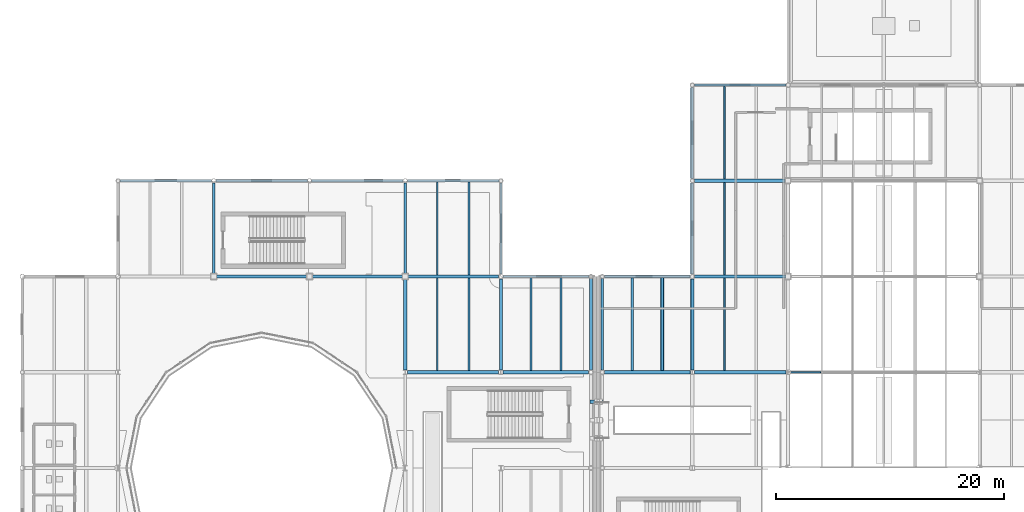
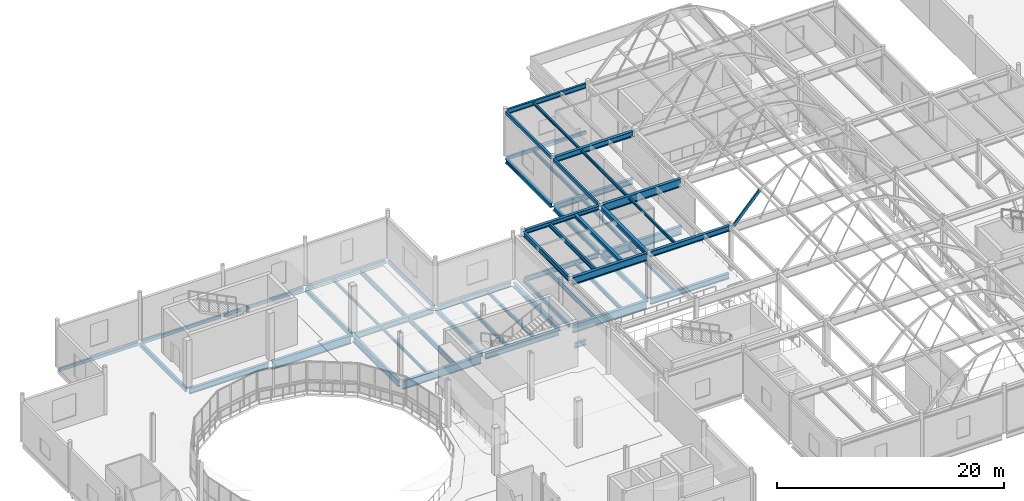
# One storey, part 30 of 103: 53 beams, 1 member.
"""IFC4 building model written with IfcOpenShell, lengths in metres."""

from ifc_helpers import new_model, si_unit, direction, frame, origin, origin_2d, place, context, subcontext, project, spatial, hollow_rectangle, i_section, extrude, material, material_profile, profile_set, type_object, element, save


model = new_model("IFC4")

# Units and contexts
model_context = context("Model", 3, precision=1e-05, world=origin(), true_north=direction((0.0, 1.0)))
body_context = subcontext(model_context, "Body", "Model", "MODEL_VIEW")
ifc_project = project(units=[si_unit("LENGTHUNIT", "METRE"), si_unit("AREAUNIT", "SQUARE_METRE"), si_unit("VOLUMEUNIT", "CUBIC_METRE"), si_unit("PLANEANGLEUNIT", "RADIAN"), si_unit("MASSUNIT", "GRAM", prefix="KILO"), si_unit("THERMODYNAMICTEMPERATUREUNIT", "KELVIN")], contexts=[model_context])

# Site, building, storey
site_placement = place(None, origin())
site = spatial("IfcSite", under=ifc_project, at=site_placement, CompositionType="ELEMENT")
building_placement = place(site_placement, origin())
building = spatial("IfcBuilding", under=site, at=building_placement, Name="Lustrewick Department Store", CompositionType="ELEMENT")
storey_placement = place(building_placement, frame((0.0, 0.0, 16.5)))
storey = spatial("IfcBuildingStorey", under=building, at=storey_placement, Name="L04", CompositionType="ELEMENT", Elevation=16.5)

# Beams
ifc_material_1 = material(Name="Structural steel Q355B", Category="steel")
ifc_material_profile_1 = material_profile(ifc_material_1, i_section(OverallWidth=0.198974609375, OverallDepth=0.49609375, WebThickness=0.009033203125, FlangeThickness=0.013916015625, FilletRadius=0.01611328125, at=origin_2d()), Name="HN 496x199x9x14")
ifc_profile_set_1 = profile_set([ifc_material_profile_1], Name="Structural steel Q355B")
beam_type_1 = type_object("IfcBeamType", Name="B02", PredefinedType="JOIST", material=ifc_profile_set_1)
beam_1_placement = place(storey_placement, frame((47.60009765625, 75.74951171875, -0.5029296875), z_axis=(0.0, 1.0, 0.0), x_axis=(-1.0, 0.0, 0.0)))
element("IfcBeam", 1, at=beam_1_placement, inside=storey, type_object=beam_type_1, Name="L04 V1 Secondary Joist B02", PredefinedType="JOIST", context=body_context, shape_type="SweptSolid", body=[
    extrude(i_section(OverallWidth=0.198974609375, OverallDepth=0.49609375, WebThickness=0.009033203125, FlangeThickness=0.013916015625, FilletRadius=0.01611328125, at=origin_2d()), origin(), (0.0, 0.0, 1.0), 8.1005859375),
])
beam_2_placement = place(storey_placement, frame((47.60009765625, 84.14990234375, -0.5029296875), z_axis=(0.0, 1.0, 0.0), x_axis=(-1.0, 0.0, 0.0)))
element("IfcBeam", 2, at=beam_2_placement, inside=storey, type_object=beam_type_1, Name="L04 V1 Secondary Joist B02", PredefinedType="JOIST", context=body_context, shape_type="SweptSolid", body=[
    extrude(i_section(OverallWidth=0.198974609375, OverallDepth=0.49609375, WebThickness=0.009033203125, FlangeThickness=0.013916015625, FilletRadius=0.01611328125, at=origin_2d()), origin(), (0.0, 0.0, 1.0), 8.150146484375),
])
beam_3_placement = place(storey_placement, frame((61.933349609375, 75.74951171875, -0.5029296875), z_axis=(0.0, 1.0, 0.0), x_axis=(-1.0, 0.0, 0.0)))
element("IfcBeam", 3, at=beam_3_placement, inside=storey, type_object=beam_type_1, Name="L04 V2 Secondary Joist B02", PredefinedType="JOIST", context=body_context, shape_type="SweptSolid", body=[
    extrude(i_section(OverallWidth=0.198974609375, OverallDepth=0.49609375, WebThickness=0.009033203125, FlangeThickness=0.013916015625, FilletRadius=0.01611328125, at=origin_2d()), origin(), (0.0, 0.0, 1.0), 8.14990234375),
])
ifc_material_profile_2 = material_profile(ifc_material_1, i_section(OverallWidth=0.199951171875, OverallDepth=0.449951171875, WebThickness=0.009033203125, FlangeThickness=0.013916015625, FilletRadius=0.01611328125, at=origin_2d()), Name="HN 450x200x9x14")
ifc_profile_set_2 = profile_set([ifc_material_profile_2], Name="Structural steel Q355B")
beam_type_2 = type_object("IfcBeamType", Name="B03", PredefinedType="JOIST", material=ifc_profile_set_2)
beam_4_placement = place(storey_placement, frame((61.933349609375, 75.7509765625, 4.6201171875), z_axis=(0.0, 1.0, 0.0), x_axis=(-1.0, 0.0, 0.0)))
element("IfcBeam", 4, at=beam_4_placement, inside=storey, type_object=beam_type_2, Name="L04 V2 Secondary Joist B03", PredefinedType="JOIST", context=body_context, shape_type="SweptSolid", body=[
    extrude(i_section(OverallWidth=0.199951171875, OverallDepth=0.449951171875, WebThickness=0.009033203125, FlangeThickness=0.013916015625, FilletRadius=0.01611328125, at=origin_2d()), origin(), (0.0, 0.0, 1.0), 8.09912109375),
])
ifc_material_profile_3 = material_profile(ifc_material_1, i_section(OverallWidth=0.198974609375, OverallDepth=0.39599609375, WebThickness=0.007080078125, FlangeThickness=0.010986328125, FilletRadius=0.013916015625, at=origin_2d()), Name="HN 396x199x7x11")
ifc_profile_set_3 = profile_set([ifc_material_profile_3], Name="Structural steel Q355B")
beam_type_3 = type_object("IfcBeamType", Name="B06", PredefinedType="JOIST", material=ifc_profile_set_3)
beam_5_placement = place(storey_placement, frame((53.033203125, 75.75, -0.452880859375), z_axis=(0.0, 1.0, 0.0), x_axis=(-1.0, 0.0, 0.0)))
element("IfcBeam", 5, at=beam_5_placement, inside=storey, type_object=beam_type_3, Name="L04 V1 Secondary Joist B06", PredefinedType="JOIST", context=body_context, shape_type="SweptSolid", body=[
    extrude(i_section(OverallWidth=0.198974609375, OverallDepth=0.39599609375, WebThickness=0.007080078125, FlangeThickness=0.010986328125, FilletRadius=0.013916015625, at=origin_2d()), origin(), (0.0, 0.0, 1.0), 8.1494140625),
])
beam_6_placement = place(storey_placement, frame((64.566650390625, 75.74951171875, -0.452880859375), z_axis=(0.0, 1.0, 0.0), x_axis=(-1.0, 0.0, 0.0)))
element("IfcBeam", 6, at=beam_6_placement, inside=storey, type_object=beam_type_3, Name="L04 V2 Secondary Joist B06", PredefinedType="JOIST", context=body_context, shape_type="SweptSolid", body=[
    extrude(i_section(OverallWidth=0.198974609375, OverallDepth=0.39599609375, WebThickness=0.007080078125, FlangeThickness=0.010986328125, FilletRadius=0.013916015625, at=origin_2d()), origin(), (0.0, 0.0, 1.0), 8.14990234375),
])
ifc_material_profile_4 = material_profile(ifc_material_1, i_section(OverallWidth=0.300048828125, OverallDepth=0.389892578125, WebThickness=0.010009765625, FlangeThickness=0.01611328125, FilletRadius=0.01806640625, at=origin_2d()), Name="HM 390x300x10x16")
ifc_profile_set_4 = profile_set([ifc_material_profile_4], Name="Structural steel Q355B")
beam_type_4 = type_object("IfcBeamType", Name="B07", PredefinedType="JOIST", material=ifc_profile_set_4)
beam_7_placement = place(storey_placement, frame((64.566650390625, 75.7509765625, 4.64990234375), z_axis=(0.0, 1.0, 0.0), x_axis=(-1.0, 0.0, 0.0)))
element("IfcBeam", 7, at=beam_7_placement, inside=storey, type_object=beam_type_4, Name="L04 V2 Secondary Joist B07", PredefinedType="JOIST", context=body_context, shape_type="SweptSolid", body=[
    extrude(i_section(OverallWidth=0.300048828125, OverallDepth=0.389892578125, WebThickness=0.010009765625, FlangeThickness=0.01611328125, FilletRadius=0.01806640625, at=origin_2d()), origin(), (0.0, 0.0, 1.0), 8.09912109375),
])
ifc_material_profile_5 = material_profile(ifc_material_1, i_section(OverallWidth=0.174072265625, OverallDepth=0.345947265625, WebThickness=0.006103515625, FlangeThickness=0.009033203125, FilletRadius=0.012939453125, at=origin_2d()), Name="HN 346x174x6x9")
ifc_profile_set_5 = profile_set([ifc_material_profile_5], Name="Structural steel Q355B")
beam_type_5 = type_object("IfcBeamType", Name="B10", PredefinedType="JOIST", material=ifc_profile_set_5)
beam_8_placement = place(storey_placement, frame((55.666748046875, 75.75, -0.427978515625), z_axis=(0.0, 1.0, 0.0), x_axis=(-1.0, 0.0, 0.0)))
element("IfcBeam", 8, at=beam_8_placement, inside=storey, type_object=beam_type_5, Name="L04 V1 Secondary Joist B10", PredefinedType="JOIST", context=body_context, shape_type="SweptSolid", body=[
    extrude(i_section(OverallWidth=0.174072265625, OverallDepth=0.345947265625, WebThickness=0.006103515625, FlangeThickness=0.009033203125, FilletRadius=0.012939453125, at=origin_2d()), origin(), (0.0, 0.0, 1.0), 8.1494140625),
])
for number, where, z_axis, x_axis, name in (
    (9, (70.0, 75.75, -0.427978515625), (0.0, 1.0, 0.0), (-1.0, 0.0, 0.0), "L04 V2 Secondary Joist B10"),
    (10, (70.0, 84.14990234375, -0.427978515625), (0.0, 1.0, 0.0), (-1.0, 0.0, 0.0), "L04 V2 Secondary Joist B10"),
):
    element("IfcBeam", number, at=place(storey_placement, frame(where, z_axis=z_axis, x_axis=x_axis)), inside=storey, type_object=beam_type_5, Name=name, PredefinedType="JOIST", context=body_context, shape_type="SweptSolid", body=[
        extrude(i_section(OverallWidth=0.174072265625, OverallDepth=0.345947265625, WebThickness=0.006103515625, FlangeThickness=0.009033203125, FilletRadius=0.012939453125, at=origin_2d()), origin(), (0.0, 0.0, 1.0), 8.10009765625),
    ])
beam_9_placement = place(storey_placement, frame((70.0, 92.550048828125, -0.427978515625), z_axis=(0.0, 1.0, 0.0), x_axis=(-1.0, 0.0, 0.0)))
element("IfcBeam", 11, at=beam_9_placement, inside=storey, type_object=beam_type_5, Name="L04 V2 Secondary Joist B10", PredefinedType="JOIST", context=body_context, shape_type="SweptSolid", body=[
    extrude(i_section(OverallWidth=0.174072265625, OverallDepth=0.345947265625, WebThickness=0.006103515625, FlangeThickness=0.009033203125, FilletRadius=0.012939453125, at=origin_2d()), origin(), (0.0, 0.0, 1.0), 8.14990234375),
])
ifc_material_profile_6 = material_profile(ifc_material_1, i_section(OverallWidth=0.14990234375, OverallDepth=0.300048828125, WebThickness=0.006591796875, FlangeThickness=0.009033203125, FilletRadius=0.011962890625, at=origin_2d()), Name="HN 300x150x6.5x9")
ifc_profile_set_6 = profile_set([ifc_material_profile_6], Name="Structural steel Q355B")
beam_type_6 = type_object("IfcBeamType", Name="B11", PredefinedType="JOIST", material=ifc_profile_set_6)
beam_10_placement = place(storey_placement, frame((44.800048828125, 75.74951171875, -0.405029296875), z_axis=(0.0, 1.0, 0.0), x_axis=(-1.0, 0.0, 0.0)))
element("IfcBeam", 12, at=beam_10_placement, inside=storey, type_object=beam_type_6, Name="L04 V1 Secondary Joist B11", PredefinedType="JOIST", context=body_context, shape_type="SweptSolid", body=[
    extrude(i_section(OverallWidth=0.14990234375, OverallDepth=0.300048828125, WebThickness=0.006591796875, FlangeThickness=0.009033203125, FilletRadius=0.011962890625, at=origin_2d()), origin(), (0.0, 0.0, 1.0), 8.1005859375),
])
beam_11_placement = place(storey_placement, frame((44.800048828125, 84.14990234375, -0.405029296875), z_axis=(0.0, 1.0, 0.0), x_axis=(-1.0, 0.0, 0.0)))
element("IfcBeam", 13, at=beam_11_placement, inside=storey, type_object=beam_type_6, Name="L04 V1 Secondary Joist B11", PredefinedType="JOIST", context=body_context, shape_type="SweptSolid", body=[
    extrude(i_section(OverallWidth=0.14990234375, OverallDepth=0.300048828125, WebThickness=0.006591796875, FlangeThickness=0.009033203125, FilletRadius=0.011962890625, at=origin_2d()), origin(), (0.0, 0.0, 1.0), 8.150146484375),
])
for number, where, z_axis, x_axis, name in (
    (14, (70.0, 75.75, 4.695068359375), (0.0, 1.0, 0.0), (-1.0, 0.0, 0.0), "L04 V2 Secondary Joist B11"),
    (15, (70.0, 84.1494140625, 4.695068359375), (0.0, 1.0, 0.0), (-1.0, 0.0, 0.0), "L04 V2 Secondary Joist B11"),
):
    element("IfcBeam", number, at=place(storey_placement, frame(where, z_axis=z_axis, x_axis=x_axis)), inside=storey, type_object=beam_type_6, Name=name, PredefinedType="JOIST", context=body_context, shape_type="SweptSolid", body=[
        extrude(i_section(OverallWidth=0.14990234375, OverallDepth=0.300048828125, WebThickness=0.006591796875, FlangeThickness=0.009033203125, FilletRadius=0.011962890625, at=origin_2d()), origin(), (0.0, 0.0, 1.0), 8.1005859375),
    ])
beam_12_placement = place(storey_placement, frame((70.0, 92.550048828125, 4.695068359375), z_axis=(0.0, 1.0, 0.0), x_axis=(-1.0, 0.0, 0.0)))
element("IfcBeam", 16, at=beam_12_placement, inside=storey, type_object=beam_type_6, Name="L04 V2 Secondary Joist B11", PredefinedType="JOIST", context=body_context, shape_type="SweptSolid", body=[
    extrude(i_section(OverallWidth=0.14990234375, OverallDepth=0.300048828125, WebThickness=0.006591796875, FlangeThickness=0.009033203125, FilletRadius=0.011962890625, at=origin_2d()), origin(), (0.0, 0.0, 1.0), 8.1494140625),
])

# Member
ifc_material_2 = material(Name="Structural steel Q355C", Category="steel")
ifc_material_profile_7 = material_profile(ifc_material_2, hollow_rectangle(XDim=0.14990234375, YDim=0.300048828125, WallThickness=0.010009765625, at=origin_2d()), Name="RHS 300x150x10")
ifc_profile_set_7 = profile_set([ifc_material_profile_7], Name="Structural steel Q355C")
member_type = type_object("IfcMemberType", Name="DR01", PredefinedType="USERDEFINED", material=ifc_profile_set_7)
member_placement = place(storey_placement, frame((75.75, 75.60009765625, 4.4951171875), z_axis=(0.678233515991, 0.0, 0.734846445039), x_axis=(0.0, 1.0, 0.0)))
element("IfcMember", 17, at=member_placement, inside=storey, type_object=member_type, Name="V2 Verriere Arch Segment 5.1", ObjectType="ARCH_SEGMENT", PredefinedType="USERDEFINED", context=body_context, shape_type="SweptSolid", body=[
    extrude(hollow_rectangle(XDim=0.14990234375, YDim=0.300048828125, WallThickness=0.010009765625, at=origin_2d()), origin(), (0.0, 0.0, 1.0), 4.1357421875),
])

# Beams
ifc_material_profile_8 = material_profile(ifc_material_2, i_section(OverallWidth=0.300048828125, OverallDepth=0.89990234375, WebThickness=0.01611328125, FlangeThickness=0.028076171875, FilletRadius=0.02392578125, at=origin_2d()), Name="HN 900x300x16x28")
ifc_profile_set_8 = profile_set([ifc_material_profile_8], Name="Structural steel Q355C")
beam_type_7 = type_object("IfcBeamType", Name="G02", PredefinedType="BEAM", material=ifc_profile_set_8)
beam_13_placement = place(storey_placement, frame((67.403076171875, 84.0, -0.705078125), z_axis=(1.0, 0.0, 0.0), x_axis=(0.0, 1.0, 0.0)))
element("IfcBeam", 18, at=beam_13_placement, inside=storey, type_object=beam_type_7, Name="L04 V2 Girder G02", PredefinedType="BEAM", context=body_context, shape_type="SweptSolid", body=[
    extrude(i_section(OverallWidth=0.300048828125, OverallDepth=0.89990234375, WebThickness=0.01611328125, FlangeThickness=0.028076171875, FilletRadius=0.02392578125, at=origin_2d()), origin(), (0.0, 0.0, 1.0), 8.02197265625),
])
ifc_material_profile_9 = material_profile(ifc_material_2, i_section(OverallWidth=0.299072265625, OverallDepth=0.889892578125, WebThickness=0.014892578125, FlangeThickness=0.02294921875, FilletRadius=0.02392578125, at=origin_2d()), Name="HN 890x299x15x23")
ifc_profile_set_9 = profile_set([ifc_material_profile_9], Name="Structural steel Q355C")
beam_type_8 = type_object("IfcBeamType", Name="G03", PredefinedType="BEAM", material=ifc_profile_set_9)
beam_14_placement = place(storey_placement, frame((42.200927734375, 75.60009765625, -0.699951171875), z_axis=(1.0, 0.0, 0.0), x_axis=(0.0, 1.0, 0.0)))
element("IfcBeam", 19, at=beam_14_placement, inside=storey, type_object=beam_type_8, Name="L04 V1 Girder G03", PredefinedType="BEAM", context=body_context, shape_type="SweptSolid", body=[
    extrude(i_section(OverallWidth=0.299072265625, OverallDepth=0.889892578125, WebThickness=0.014892578125, FlangeThickness=0.02294921875, FilletRadius=0.02392578125, at=origin_2d()), origin(), (0.0, 0.0, 1.0), 7.998046875),
])
beam_15_placement = place(storey_placement, frame((33.77490234375, 84.0, -0.699951171875), z_axis=(1.0, 0.0, 0.0), x_axis=(0.0, 1.0, 0.0)))
element("IfcBeam", 20, at=beam_15_placement, inside=storey, type_object=beam_type_8, Name="L04 V1 Girder G03", PredefinedType="BEAM", context=body_context, shape_type="SweptSolid", body=[
    extrude(i_section(OverallWidth=0.299072265625, OverallDepth=0.889892578125, WebThickness=0.014892578125, FlangeThickness=0.02294921875, FilletRadius=0.02392578125, at=origin_2d()), origin(), (0.0, 0.0, 1.0), 8.050048828125),
])
beam_16_placement = place(storey_placement, frame((59.5029296875, 75.60009765625, -0.699951171875), z_axis=(1.0, 0.0, 0.0), x_axis=(0.0, 1.0, 0.0)))
element("IfcBeam", 21, at=beam_16_placement, inside=storey, type_object=beam_type_8, Name="L04 V2 Girder G03", PredefinedType="BEAM", context=body_context, shape_type="SweptSolid", body=[
    extrude(i_section(OverallWidth=0.299072265625, OverallDepth=0.889892578125, WebThickness=0.014892578125, FlangeThickness=0.02294921875, FilletRadius=0.02392578125, at=origin_2d()), origin(), (0.0, 0.0, 1.0), 7.49609375),
])
beam_17_placement = place(storey_placement, frame((67.403076171875, 84.0, 4.39990234375), z_axis=(1.0, 0.0, 0.0), x_axis=(0.0, 1.0, 0.0)))
element("IfcBeam", 22, at=beam_17_placement, inside=storey, type_object=beam_type_8, Name="L04 V2 Girder G03", PredefinedType="BEAM", context=body_context, shape_type="SweptSolid", body=[
    extrude(i_section(OverallWidth=0.299072265625, OverallDepth=0.889892578125, WebThickness=0.014892578125, FlangeThickness=0.02294921875, FilletRadius=0.02392578125, at=origin_2d()), origin(), (0.0, 0.0, 1.0), 7.921875),
])
ifc_material_profile_10 = material_profile(ifc_material_2, i_section(OverallWidth=0.302001953125, OverallDepth=0.80810546875, WebThickness=0.01611328125, FlangeThickness=0.030029296875, FilletRadius=0.02197265625, at=origin_2d()), Name="HN 808x302x16x30")
ifc_profile_set_10 = profile_set([ifc_material_profile_10], Name="Structural steel Q355C")
beam_type_9 = type_object("IfcBeamType", Name="G04", PredefinedType="BEAM", material=ifc_profile_set_10)
beam_18_placement = place(storey_placement, frame((59.5029296875, 75.60009765625, 4.44091796875), z_axis=(1.0, 0.0, 0.0), x_axis=(0.0, 1.0, 0.0)))
element("IfcBeam", 23, at=beam_18_placement, inside=storey, type_object=beam_type_9, Name="L04 V2 Girder G04", PredefinedType="BEAM", context=body_context, shape_type="SweptSolid", body=[
    extrude(i_section(OverallWidth=0.302001953125, OverallDepth=0.80810546875, WebThickness=0.01611328125, FlangeThickness=0.030029296875, FilletRadius=0.02197265625, at=origin_2d()), origin(), (0.0, 0.0, 1.0), 7.52197265625),
])
ifc_material_profile_11 = material_profile(ifc_material_1, i_section(OverallWidth=0.300048828125, OverallDepth=0.699951171875, WebThickness=0.012939453125, FlangeThickness=0.02392578125, FilletRadius=0.02001953125, at=origin_2d()), Name="HN 700x300x13x24")
ifc_profile_set_11 = profile_set([ifc_material_profile_11], Name="Structural steel Q355B")
beam_type_10 = type_object("IfcBeamType", Name="G08", PredefinedType="BEAM", material=ifc_profile_set_11)
beam_19_placement = place(storey_placement, frame((42.0, 75.7939453125, -0.60498046875), z_axis=(0.0, 1.0, 0.0), x_axis=(-1.0, 0.0, 0.0)))
element("IfcBeam", 24, at=beam_19_placement, inside=storey, type_object=beam_type_10, Name="L04 V1 Girder G08", PredefinedType="BEAM", context=body_context, shape_type="SweptSolid", body=[
    extrude(i_section(OverallWidth=0.300048828125, OverallDepth=0.699951171875, WebThickness=0.012939453125, FlangeThickness=0.02392578125, FilletRadius=0.02001953125, at=origin_2d()), origin(), (0.0, 0.0, 1.0), 8.031005859375),
])
ifc_material_profile_12 = material_profile(ifc_material_1, i_section(OverallWidth=0.300048828125, OverallDepth=0.587890625, WebThickness=0.011962890625, FlangeThickness=0.02001953125, FilletRadius=0.02392578125, at=origin_2d()), Name="HM 588x300x12x20")
ifc_profile_set_12 = profile_set([ifc_material_profile_12], Name="Structural steel Q355B")
beam_type_11 = type_object("IfcBeamType", Name="G11", PredefinedType="BEAM", material=ifc_profile_set_12)
beam_20_placement = place(storey_placement, frame((50.60107421875, 75.60009765625, -0.549072265625), z_axis=(1.0, 0.0, 0.0), x_axis=(0.0, 1.0, 0.0)))
element("IfcBeam", 25, at=beam_20_placement, inside=storey, type_object=beam_type_11, Name="L04 V1 Girder G11", PredefinedType="BEAM", context=body_context, shape_type="SweptSolid", body=[
    extrude(i_section(OverallWidth=0.300048828125, OverallDepth=0.587890625, WebThickness=0.011962890625, FlangeThickness=0.02001953125, FilletRadius=0.02392578125, at=origin_2d()), origin(), (0.0, 0.0, 1.0), 7.495849609375),
])
beam_21_placement = place(storey_placement, frame((25.375, 84.0, -0.549072265625), z_axis=(1.0, 0.0, 0.0), x_axis=(0.0, 1.0, 0.0)))
element("IfcBeam", 26, at=beam_21_placement, inside=storey, type_object=beam_type_11, Name="L04 V1 Girder G11", PredefinedType="BEAM", context=body_context, shape_type="SweptSolid", body=[
    extrude(i_section(OverallWidth=0.300048828125, OverallDepth=0.587890625, WebThickness=0.011962890625, FlangeThickness=0.02001953125, FilletRadius=0.02392578125, at=origin_2d()), origin(), (0.0, 0.0, 1.0), 8.050048828125),
])
beam_22_placement = place(storey_placement, frame((42.175048828125, 84.0, -0.549072265625), z_axis=(1.0, 0.0, 0.0), x_axis=(0.0, 1.0, 0.0)))
element("IfcBeam", 27, at=beam_22_placement, inside=storey, type_object=beam_type_11, Name="L04 V1 Girder G11", PredefinedType="BEAM", context=body_context, shape_type="SweptSolid", body=[
    extrude(i_section(OverallWidth=0.300048828125, OverallDepth=0.587890625, WebThickness=0.011962890625, FlangeThickness=0.02001953125, FilletRadius=0.02392578125, at=origin_2d()), origin(), (0.0, 0.0, 1.0), 8.02197265625),
])
beam_23_placement = place(storey_placement, frame((67.40087890625, 75.60009765625, -0.549072265625), z_axis=(1.0, 0.0, 0.0), x_axis=(0.0, 1.0, 0.0)))
element("IfcBeam", 28, at=beam_23_placement, inside=storey, type_object=beam_type_11, Name="L04 V2 Girder G11", PredefinedType="BEAM", context=body_context, shape_type="SweptSolid", body=[
    extrude(i_section(OverallWidth=0.300048828125, OverallDepth=0.587890625, WebThickness=0.011962890625, FlangeThickness=0.02001953125, FilletRadius=0.02392578125, at=origin_2d()), origin(), (0.0, 0.0, 1.0), 7.998046875),
])
beam_24_placement = place(storey_placement, frame((67.388427734375, 92.39990234375, -0.549072265625), z_axis=(1.0, 0.0, 0.0), x_axis=(0.0, 1.0, 0.0)))
element("IfcBeam", 29, at=beam_24_placement, inside=storey, type_object=beam_type_11, Name="L04 V2 Girder G11", PredefinedType="BEAM", context=body_context, shape_type="SweptSolid", body=[
    extrude(i_section(OverallWidth=0.300048828125, OverallDepth=0.587890625, WebThickness=0.011962890625, FlangeThickness=0.02001953125, FilletRadius=0.02392578125, at=origin_2d()), origin(), (0.0, 0.0, 1.0), 7.9365234375),
])
ifc_material_profile_13 = material_profile(ifc_material_1, i_section(OverallWidth=0.300048828125, OverallDepth=0.58203125, WebThickness=0.011962890625, FlangeThickness=0.01708984375, FilletRadius=0.02392578125, at=origin_2d()), Name="HM 582x300x12x17")
ifc_profile_set_13 = profile_set([ifc_material_profile_13], Name="Structural steel Q355B")
beam_type_12 = type_object("IfcBeamType", Name="G12", PredefinedType="BEAM", material=ifc_profile_set_13)
beam_25_placement = place(storey_placement, frame((67.375, 75.60009765625, 4.553955078125), z_axis=(1.0, 0.0, 0.0), x_axis=(0.0, 1.0, 0.0)))
element("IfcBeam", 30, at=beam_25_placement, inside=storey, type_object=beam_type_12, Name="L04 V2 Girder G12", PredefinedType="BEAM", context=body_context, shape_type="SweptSolid", body=[
    extrude(i_section(OverallWidth=0.300048828125, OverallDepth=0.58203125, WebThickness=0.011962890625, FlangeThickness=0.01708984375, FilletRadius=0.02392578125, at=origin_2d()), origin(), (0.0, 0.0, 1.0), 8.050048828125),
])
beam_26_placement = place(storey_placement, frame((67.388427734375, 92.39990234375, 4.553955078125), z_axis=(1.0, 0.0, 0.0), x_axis=(0.0, 1.0, 0.0)))
element("IfcBeam", 31, at=beam_26_placement, inside=storey, type_object=beam_type_12, Name="L04 V2 Girder G12", PredefinedType="BEAM", context=body_context, shape_type="SweptSolid", body=[
    extrude(i_section(OverallWidth=0.300048828125, OverallDepth=0.58203125, WebThickness=0.011962890625, FlangeThickness=0.01708984375, FilletRadius=0.02392578125, at=origin_2d()), origin(), (0.0, 0.0, 1.0), 7.961669921875),
])
ifc_material_profile_14 = material_profile(ifc_material_1, i_section(OverallWidth=0.300048828125, OverallDepth=0.488037109375, WebThickness=0.010986328125, FlangeThickness=0.01806640625, FilletRadius=0.02197265625, at=origin_2d()), Name="HM 488x300x11x18")
ifc_profile_set_14 = profile_set([ifc_material_profile_14], Name="Structural steel Q355B")
beam_type_13 = type_object("IfcBeamType", Name="G16", PredefinedType="BEAM", material=ifc_profile_set_14)
beam_27_placement = place(storey_placement, frame((58.199951171875, 73.0, -0.4990234375), z_axis=(1.0, 0.0, 0.0), x_axis=(0.0, 1.0, 0.0)))
element("IfcBeam", 32, at=beam_27_placement, inside=storey, type_object=beam_type_13, Name="L04 Skybridge SB12 Girder 2", PredefinedType="BEAM", context=body_context, shape_type="SweptSolid", body=[
    extrude(i_section(OverallWidth=0.300048828125, OverallDepth=0.488037109375, WebThickness=0.010986328125, FlangeThickness=0.01806640625, FilletRadius=0.02197265625, at=origin_2d()), origin(), (0.0, 0.0, 1.0), 1.14013671875),
])
ifc_material_profile_15 = material_profile(ifc_material_2, hollow_rectangle(XDim=0.25, YDim=0.449951171875, WallThickness=0.013916015625, at=origin_2d()), Name="RHS 450x250x14")
ifc_profile_set_15 = profile_set([ifc_material_profile_15], Name="Structural steel Q355C")
beam_type_14 = type_object("IfcBeamType", Name="G18", PredefinedType="BEAM", material=ifc_profile_set_15)
for number, where, z_axis, x_axis, name in (
    (33, (25.199951171875, 84.175048828125, -0.47998046875), (0.0, 1.0, 0.0), (-1.0, 0.0, 0.0), "L04 V1 Girder G18"),
    (34, (42.0, 84.175048828125, -0.47998046875), (0.0, 1.0, 0.0), (-1.0, 0.0, 0.0), "L04 V1 Girder G18"),
):
    element("IfcBeam", number, at=place(storey_placement, frame(where, z_axis=z_axis, x_axis=x_axis)), inside=storey, type_object=beam_type_14, Name=name, PredefinedType="BEAM", context=body_context, shape_type="SweptSolid", body=[
        extrude(hollow_rectangle(XDim=0.25, YDim=0.449951171875, WallThickness=0.013916015625, at=origin_2d()), origin(), (0.0, 0.0, 1.0), 8.036376953125),
    ])
for number, where, z_axis, x_axis, name in (
    (35, (50.39990234375, 75.7939453125, -0.47998046875), (0.0, 1.0, 0.0), (-1.0, 0.0, 0.0), "L04 V1 Girder G18"),
    (36, (67.199951171875, 75.7939453125, -0.47998046875), (0.0, 1.0, 0.0), (-1.0, 0.0, 0.0), "L04 V2 Girder G18"),
):
    element("IfcBeam", number, at=place(storey_placement, frame(where, z_axis=z_axis, x_axis=x_axis)), inside=storey, type_object=beam_type_14, Name=name, PredefinedType="BEAM", context=body_context, shape_type="SweptSolid", body=[
        extrude(hollow_rectangle(XDim=0.25, YDim=0.449951171875, WallThickness=0.013916015625, at=origin_2d()), origin(), (0.0, 0.0, 1.0), 8.003173828125),
    ])
ifc_material_profile_16 = material_profile(ifc_material_1, i_section(OverallWidth=0.300048828125, OverallDepth=0.48193359375, WebThickness=0.010986328125, FlangeThickness=0.014892578125, FilletRadius=0.02197265625, at=origin_2d()), Name="HM 482x300x11x15")
ifc_profile_set_16 = profile_set([ifc_material_profile_16], Name="Structural steel Q355B")
beam_type_15 = type_object("IfcBeamType", Name="G20", PredefinedType="BEAM", material=ifc_profile_set_16)
beam_28_placement = place(storey_placement, frame((67.199951171875, 75.77490234375, 4.60400390625), z_axis=(0.0, 1.0, 0.0), x_axis=(-1.0, 0.0, 0.0)))
element("IfcBeam", 37, at=beam_28_placement, inside=storey, type_object=beam_type_15, Name="L04 V2 Girder G20", PredefinedType="BEAM", context=body_context, shape_type="SweptSolid", body=[
    extrude(i_section(OverallWidth=0.300048828125, OverallDepth=0.48193359375, WebThickness=0.010986328125, FlangeThickness=0.014892578125, FilletRadius=0.02197265625, at=origin_2d()), origin(), (0.0, 0.0, 1.0), 8.022216796875),
])
ifc_material_profile_17 = material_profile(ifc_material_1, i_section(OverallWidth=0.200927734375, OverallDepth=0.506103515625, WebThickness=0.010986328125, FlangeThickness=0.01904296875, FilletRadius=0.01611328125, at=origin_2d()), Name="HN 506x201x11x19")
ifc_profile_set_17 = profile_set([ifc_material_profile_17], Name="Structural steel Q355B")
beam_type_16 = type_object("IfcBeamType", Name="SP01", PredefinedType="SPANDREL", material=ifc_profile_set_17)
for number, where, z_axis, x_axis, name in (
    (38, (50.60302734375, 84.0, -0.508056640625), (1.0, 0.0, 0.0), (0.0, 1.0, 0.0), "L04 V1 Girder SP01"),
    (39, (59.488525390625, 84.0, -0.508056640625), (1.0, 0.0, 0.0), (0.0, 1.0, 0.0), "L04 V2 Girder SP01"),
):
    element("IfcBeam", number, at=place(storey_placement, frame(where, z_axis=z_axis, x_axis=x_axis)), inside=storey, type_object=beam_type_16, Name=name, PredefinedType="SPANDREL", context=body_context, shape_type="SweptSolid", body=[
        extrude(i_section(OverallWidth=0.200927734375, OverallDepth=0.506103515625, WebThickness=0.010986328125, FlangeThickness=0.01904296875, FilletRadius=0.01611328125, at=origin_2d()), origin(), (0.0, 0.0, 1.0), 7.508544921875),
    ])
beam_29_placement = place(storey_placement, frame((67.403076171875, 100.800048828125, 4.592041015625), z_axis=(1.0, 0.0, 0.0), x_axis=(0.0, 1.0, 0.0)))
element("IfcBeam", 40, at=beam_29_placement, inside=storey, type_object=beam_type_16, Name="L04 V2 Girder SP01", PredefinedType="SPANDREL", context=body_context, shape_type="SweptSolid", body=[
    extrude(i_section(OverallWidth=0.200927734375, OverallDepth=0.506103515625, WebThickness=0.010986328125, FlangeThickness=0.01904296875, FilletRadius=0.01611328125, at=origin_2d()), origin(), (0.0, 0.0, 1.0), 7.993896484375),
])
beam_30_placement = place(storey_placement, frame((59.300048828125, 75.802978515625, 4.592041015625), z_axis=(0.0, 1.0, 0.0), x_axis=(-1.0, 0.0, 0.0)))
element("IfcBeam", 41, at=beam_30_placement, inside=storey, type_object=beam_type_16, Name="L04 V2 Girder SP01", PredefinedType="SPANDREL", context=body_context, shape_type="SweptSolid", body=[
    extrude(i_section(OverallWidth=0.200927734375, OverallDepth=0.506103515625, WebThickness=0.010986328125, FlangeThickness=0.01904296875, FilletRadius=0.01611328125, at=origin_2d()), origin(), (0.0, 0.0, 1.0), 8.008544921875),
])
ifc_material_profile_18 = material_profile(ifc_material_1, i_section(OverallWidth=0.300048828125, OverallDepth=0.43994140625, WebThickness=0.010986328125, FlangeThickness=0.01806640625, FilletRadius=0.02001953125, at=origin_2d()), Name="HM 440x300x11x18")
ifc_profile_set_18 = profile_set([ifc_material_profile_18], Name="Structural steel Q355B")
beam_type_17 = type_object("IfcBeamType", Name="SP02", PredefinedType="SPANDREL", material=ifc_profile_set_18)
for number, where, z_axis, x_axis, name in (
    (42, (58.300048828125, 75.802978515625, -0.47509765625), (0.0, 1.0, 0.0), (-1.0, 0.0, 0.0), "L04 V1 Girder SP02"),
    (43, (67.199951171875, 84.202880859375, -0.47509765625), (0.0, 1.0, 0.0), (-1.0, 0.0, 0.0), "L04 V2 Girder SP02"),
    (44, (67.199951171875, 92.58837890625, -0.47509765625), (0.0, 1.0, 0.0), (-1.0, 0.0, 0.0), "L04 V2 Girder SP02"),
):
    element("IfcBeam", number, at=place(storey_placement, frame(where, z_axis=z_axis, x_axis=x_axis)), inside=storey, type_object=beam_type_17, Name=name, PredefinedType="SPANDREL", context=body_context, shape_type="SweptSolid", body=[
        extrude(i_section(OverallWidth=0.300048828125, OverallDepth=0.43994140625, WebThickness=0.010986328125, FlangeThickness=0.01806640625, FilletRadius=0.02001953125, at=origin_2d()), origin(), (0.0, 0.0, 1.0), 8.008544921875),
    ])
beam_31_placement = place(storey_placement, frame((59.488525390625, 84.0, 4.625), z_axis=(1.0, 0.0, 0.0), x_axis=(0.0, 1.0, 0.0)))
element("IfcBeam", 45, at=beam_31_placement, inside=storey, type_object=beam_type_17, Name="L04 V2 Girder SP02", PredefinedType="SPANDREL", context=body_context, shape_type="SweptSolid", body=[
    extrude(i_section(OverallWidth=0.300048828125, OverallDepth=0.43994140625, WebThickness=0.010986328125, FlangeThickness=0.01806640625, FilletRadius=0.02001953125, at=origin_2d()), origin(), (0.0, 0.0, 1.0), 7.508544921875),
])
ifc_material_profile_19 = material_profile(ifc_material_2, hollow_rectangle(XDim=0.199951171875, YDim=0.35009765625, WallThickness=0.011962890625, at=origin_2d()), Name="RHS 350x200x12")
ifc_profile_set_19 = profile_set([ifc_material_profile_19], Name="Structural steel Q355C")
beam_type_18 = type_object("IfcBeamType", Name="SP03", PredefinedType="SPANDREL", material=ifc_profile_set_19)
beam_32_placement = place(storey_placement, frame((16.988525390625, 92.39990234375, -0.429931640625), z_axis=(1.0, 0.0, 0.0), x_axis=(0.0, 1.0, 0.0)))
element("IfcBeam", 46, at=beam_32_placement, inside=storey, type_object=beam_type_18, Name="L04 V1 Girder SP03", PredefinedType="SPANDREL", context=body_context, shape_type="SweptSolid", body=[
    extrude(hollow_rectangle(XDim=0.199951171875, YDim=0.35009765625, WallThickness=0.011962890625, at=origin_2d()), origin(), (0.0, 0.0, 1.0), 8.02294921875),
])
beam_33_placement = place(storey_placement, frame((25.388427734375, 92.39990234375, -0.429931640625), z_axis=(1.0, 0.0, 0.0), x_axis=(0.0, 1.0, 0.0)))
element("IfcBeam", 47, at=beam_33_placement, inside=storey, type_object=beam_type_18, Name="L04 V1 Girder SP03", PredefinedType="SPANDREL", context=body_context, shape_type="SweptSolid", body=[
    extrude(hollow_rectangle(XDim=0.199951171875, YDim=0.35009765625, WallThickness=0.011962890625, at=origin_2d()), origin(), (0.0, 0.0, 1.0), 8.023193359375),
])
for number, where, z_axis, x_axis, name in (
    (48, (33.78857421875, 92.39990234375, -0.429931640625), (1.0, 0.0, 0.0), (0.0, 1.0, 0.0), "L04 V1 Girder SP03"),
    (49, (42.1884765625, 92.39990234375, -0.429931640625), (1.0, 0.0, 0.0), (0.0, 1.0, 0.0), "L04 V1 Girder SP03"),
):
    element("IfcBeam", number, at=place(storey_placement, frame(where, z_axis=z_axis, x_axis=x_axis)), inside=storey, type_object=beam_type_18, Name=name, PredefinedType="SPANDREL", context=body_context, shape_type="SweptSolid", body=[
        extrude(hollow_rectangle(XDim=0.199951171875, YDim=0.35009765625, WallThickness=0.011962890625, at=origin_2d()), origin(), (0.0, 0.0, 1.0), 8.02294921875),
    ])
beam_34_placement = place(storey_placement, frame((50.39990234375, 84.202880859375, -0.429931640625), z_axis=(0.0, 1.0, 0.0), x_axis=(-1.0, 0.0, 0.0)))
element("IfcBeam", 50, at=beam_34_placement, inside=storey, type_object=beam_type_18, Name="L04 V1 Girder SP03", PredefinedType="SPANDREL", context=body_context, shape_type="SweptSolid", body=[
    extrude(hollow_rectangle(XDim=0.199951171875, YDim=0.35009765625, WallThickness=0.011962890625, at=origin_2d()), origin(), (0.0, 0.0, 1.0), 8.008544921875),
])
beam_35_placement = place(storey_placement, frame((67.403076171875, 100.800048828125, -0.429931640625), z_axis=(1.0, 0.0, 0.0), x_axis=(0.0, 1.0, 0.0)))
element("IfcBeam", 51, at=beam_35_placement, inside=storey, type_object=beam_type_18, Name="L04 V2 Girder SP03", PredefinedType="SPANDREL", context=body_context, shape_type="SweptSolid", body=[
    extrude(hollow_rectangle(XDim=0.199951171875, YDim=0.35009765625, WallThickness=0.011962890625, at=origin_2d()), origin(), (0.0, 0.0, 1.0), 7.993896484375),
])
for number, where, z_axis, x_axis, name in (
    (52, (59.300048828125, 75.802978515625, -0.429931640625), (0.0, 1.0, 0.0), (-1.0, 0.0, 0.0), "L04 V2 Girder SP03"),
    (53, (67.199951171875, 84.202880859375, 4.669921875), (0.0, 1.0, 0.0), (-1.0, 0.0, 0.0), "L04 V2 Girder SP03"),
    (54, (67.199951171875, 92.58837890625, 4.669921875), (0.0, 1.0, 0.0), (-1.0, 0.0, 0.0), "L04 V2 Girder SP03"),
):
    element("IfcBeam", number, at=place(storey_placement, frame(where, z_axis=z_axis, x_axis=x_axis)), inside=storey, type_object=beam_type_18, Name=name, PredefinedType="SPANDREL", context=body_context, shape_type="SweptSolid", body=[
        extrude(hollow_rectangle(XDim=0.199951171875, YDim=0.35009765625, WallThickness=0.011962890625, at=origin_2d()), origin(), (0.0, 0.0, 1.0), 8.008544921875),
    ])

save(model, "model.ifc")
